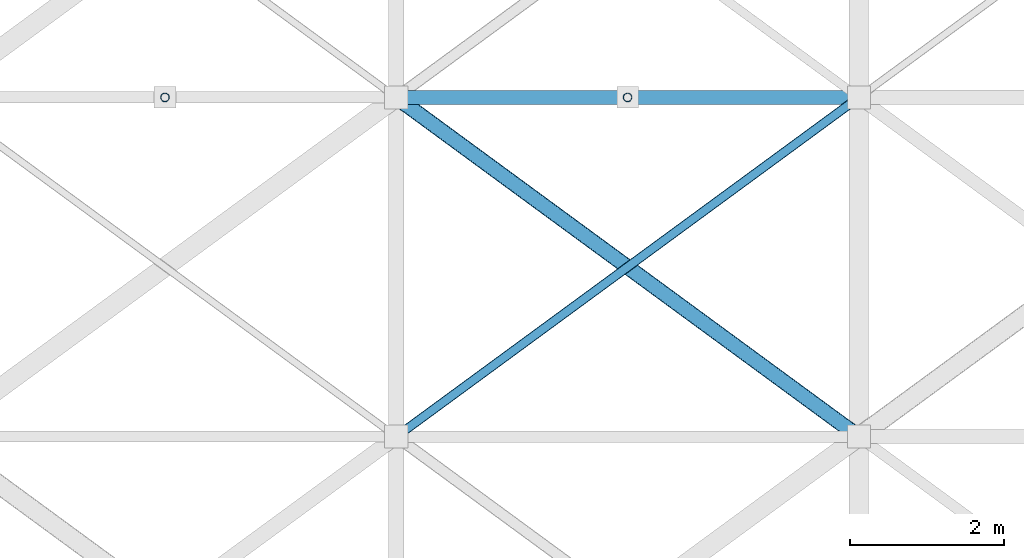
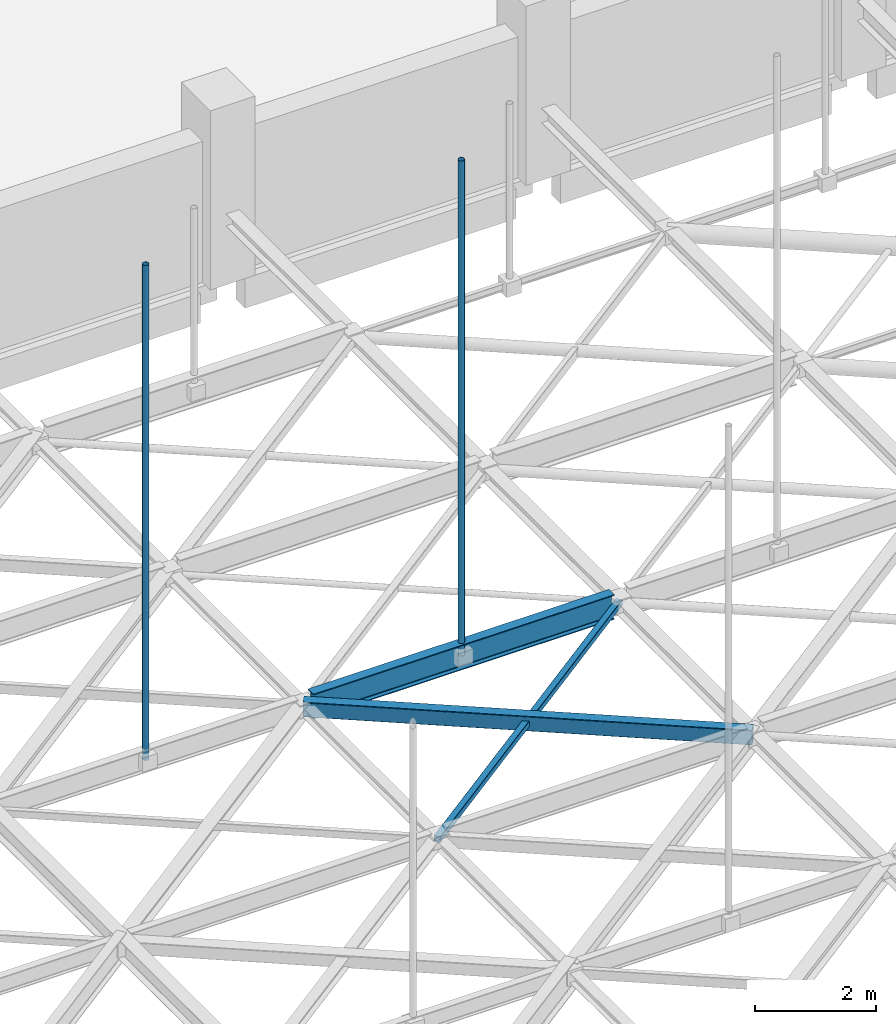
# One storey, part 41 of 93: 4 members, 1 beam.
"""IFC4 building model written with IfcOpenShell, lengths in metres."""

from ifc_helpers import new_model, si_unit, direction, frame, origin, origin_2d, place, context, subcontext, project, spatial, hollow_rectangle, hollow_circle, i_section, extrude, material, material_profile, profile_set, type_object, element, save


model = new_model("IFC4")

# Units and contexts
model_context = context("Model", 3, precision=1e-05, world=origin(), true_north=direction((0.0, 1.0)))
body_context = subcontext(model_context, "Body", "Model", "MODEL_VIEW")
ifc_project = project(units=[si_unit("LENGTHUNIT", "METRE"), si_unit("AREAUNIT", "SQUARE_METRE"), si_unit("VOLUMEUNIT", "CUBIC_METRE"), si_unit("PLANEANGLEUNIT", "RADIAN"), si_unit("MASSUNIT", "GRAM", prefix="KILO")], contexts=[model_context])

# Site, building, storey
site_placement = place(None, origin())
site = spatial("IfcSite", under=ifc_project, at=site_placement, CompositionType="ELEMENT")
building_placement = place(site_placement, origin())
building = spatial("IfcBuilding", under=site, at=building_placement, Name="Varnakota Cinema and Media Centre", CompositionType="ELEMENT")
storey_placement = place(building_placement, frame((0.0, 0.0, 12.0)))
storey = spatial("IfcBuildingStorey", under=building, at=storey_placement, Name="L03", CompositionType="ELEMENT", Elevation=12.0)

# Beam
ifc_material_1 = material(Name="Structural steel Grade 350 (E350)", Category="steel")
ifc_material_profile_1 = material_profile(ifc_material_1, i_section(OverallWidth=0.179931640625, OverallDepth=0.5, WebThickness=0.01025390625, FlangeThickness=0.01708984375, FilletRadius=0.01708984375, at=origin_2d()), Name="ISMB 500")
ifc_profile_set_1 = profile_set([ifc_material_profile_1], Name="Structural steel Grade 350 (E350)")
beam_type = type_object("IfcBeamType", Name="BM-ST-ISMB500", PredefinedType="BEAM", material=ifc_profile_set_1)
beam_placement = place(storey_placement, frame((99.139892578125, 22.0, 1.300048828125), z_axis=(1.0, 0.0, 0.0), x_axis=(0.0, 1.0, 0.0)))
element("IfcBeam", 1, at=beam_placement, inside=storey, type_object=beam_type, Name="V1 rigging beam 5.5", PredefinedType="BEAM", context=body_context, shape_type="SweptSolid", body=[
    extrude(i_section(OverallWidth=0.179931640625, OverallDepth=0.5, WebThickness=0.01025390625, FlangeThickness=0.01708984375, FilletRadius=0.01708984375, at=origin_2d()), origin(), (0.0, 0.0, 1.0), 5.72021484375),
])

# Members
ifc_material_2 = material(Name="Structural steel S355 (YSt 355)", Category="steel")
ifc_material_profile_2 = material_profile(ifc_material_2, hollow_circle(Radius=0.05712890625, WallThickness=0.00537109375, at=origin_2d()), Name="CHS 114.3x5.4")
ifc_profile_set_2 = profile_set([ifc_material_profile_2], Name="Structural steel S355 (YSt 355)")
member_type_1 = type_object("IfcMemberType", Name="MEM-ST-CHS114_3x5_4", PredefinedType="BRACE", material=ifc_profile_set_2)
for number, where, z_axis, x_axis, name in (
    (2, (96.0, 22.0, 1.300048828125), (0.0, 0.0, 1.0), (1.0, 0.0, 0.0), "V1 rigging hanger 4.3"),
    (3, (102.0, 22.0, 1.300048828125), (0.0, 0.0, 1.0), (1.0, 0.0, 0.0), "V1 rigging hanger 5.3"),
):
    element("IfcMember", number, at=place(storey_placement, frame(where, z_axis=z_axis, x_axis=x_axis)), inside=storey, type_object=member_type_1, Name=name, PredefinedType="BRACE", context=body_context, shape_type="SweptSolid", body=[
        extrude(hollow_circle(Radius=0.05712890625, WallThickness=0.00537109375, at=origin_2d()), origin(), (0.0, 0.0, 1.0), 9.949951171875),
    ])
ifc_material_3 = material(Name="Structural steel S355 (YSt 355)", Category="steel")
ifc_material_profile_3 = material_profile(ifc_material_3, hollow_rectangle(XDim=0.199951171875, YDim=0.300048828125, WallThickness=0.010009765625, InnerFilletRadius=0.010009765625, OuterFilletRadius=0.02001953125, at=origin_2d()), Name="RHS 300x200x10")
ifc_profile_set_3 = profile_set([ifc_material_profile_3], Name="Structural steel S355 (YSt 355)")
member_type_2 = type_object("IfcMemberType", Name="MEM-ST-RHS300x200x10", PredefinedType="PURLIN", material=ifc_profile_set_3)
member_1_placement = place(storey_placement, frame((105.0, 17.60009765625, 1.300048828125), z_axis=(-0.80641125493, 0.591355128432, 0.0), x_axis=(-0.591355128432, -0.80641125493, 0.0)))
element("IfcMember", 4, at=member_1_placement, inside=storey, type_object=member_type_2, Name="V1 rigging plan member B 5.4", PredefinedType="PURLIN", context=body_context, shape_type="SweptSolid", body=[
    extrude(hollow_rectangle(XDim=0.199951171875, YDim=0.300048828125, WallThickness=0.010009765625, InnerFilletRadius=0.010009765625, OuterFilletRadius=0.02001953125, at=origin_2d()), origin(), (0.0, 0.0, 1.0), 7.4404296875),
])
ifc_material_4 = material(Name="Structural steel S355 (YSt 355)", Category="steel")
ifc_material_profile_4 = material_profile(ifc_material_4, hollow_rectangle(XDim=0.1201171875, YDim=0.1201171875, WallThickness=0.006103515625, InnerFilletRadius=0.006103515625, OuterFilletRadius=0.011962890625, at=origin_2d()), Name="SHS 120x120x6")
ifc_profile_set_4 = profile_set([ifc_material_profile_4], Name="Structural steel S355 (YSt 355)")
member_type_3 = type_object("IfcMemberType", Name="MEM-ST-SHS120x120x6", PredefinedType="STRUT", material=ifc_profile_set_4)
member_2_placement = place(storey_placement, frame((99.0, 17.60009765625, 1.300048828125), z_axis=(0.80641125493, 0.591355128432, 0.0), x_axis=(-0.591355128432, 0.80641125493, 0.0)))
element("IfcMember", 5, at=member_2_placement, inside=storey, type_object=member_type_3, Name="V1 rigging plan member A 5.4", PredefinedType="STRUT", context=body_context, shape_type="SweptSolid", body=[
    extrude(hollow_rectangle(XDim=0.1201171875, YDim=0.1201171875, WallThickness=0.006103515625, InnerFilletRadius=0.006103515625, OuterFilletRadius=0.011962890625, at=origin_2d()), origin(), (0.0, 0.0, 1.0), 7.4404296875),
])

save(model, "model.ifc")
